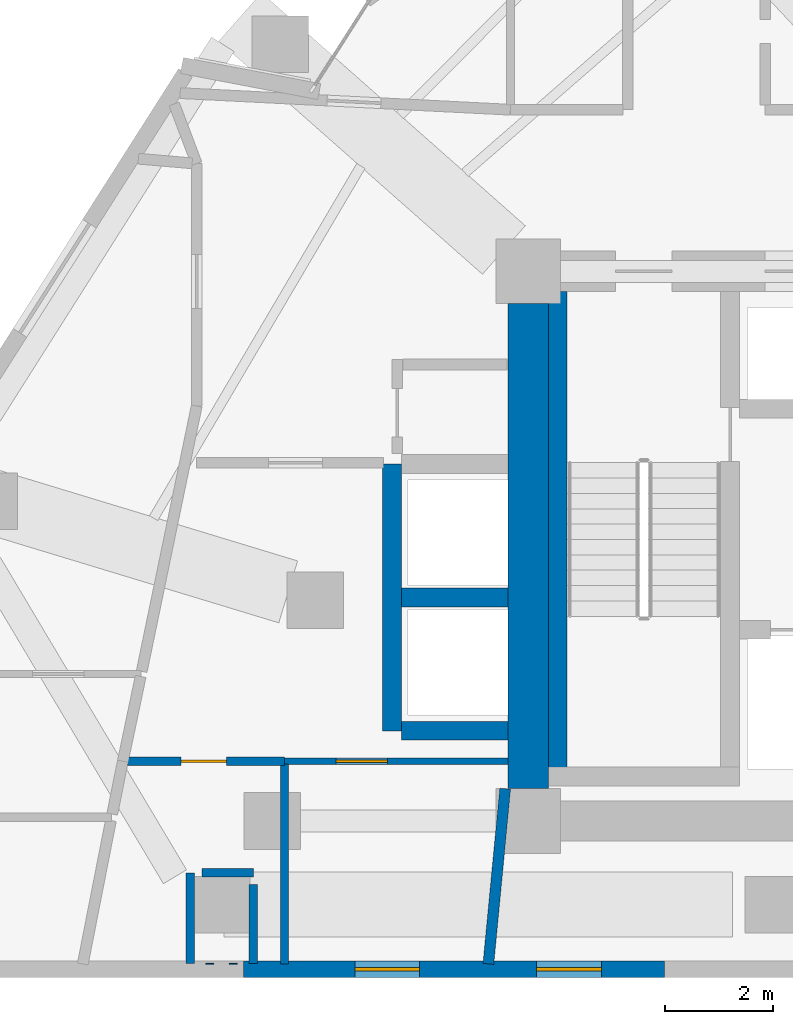
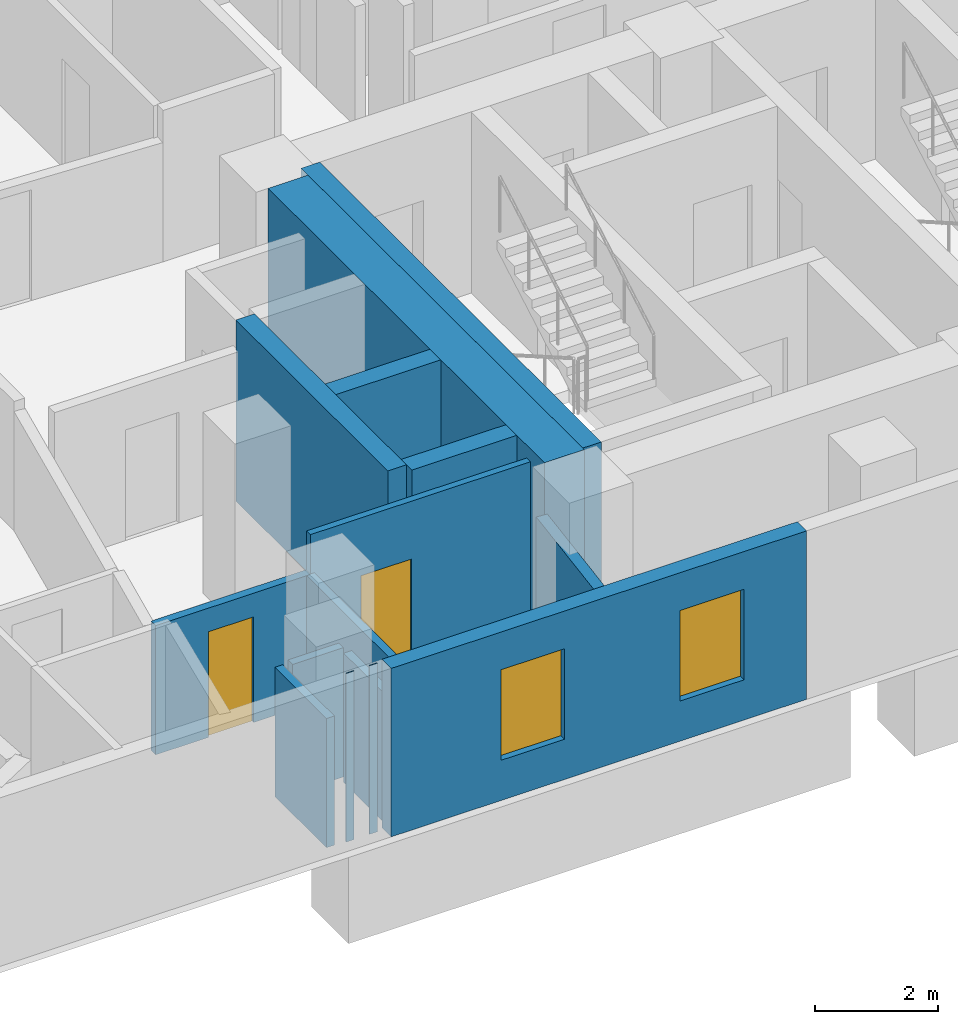
# One storey, part 6 of 12: 15 walls, 2 doors, 2 windows, 4 openings.
"""IFC4 building model written with IfcOpenShell, lengths in metres."""

from ifc_helpers import new_model, si_unit, direction, frame, frame_2d, origin, place, context, subcontext, project, spatial, rectangle, extrude, material, layer, layer_set, type_object, element, fill, save


model = new_model("IFC4")

# Units and contexts
model_context = context("Model", 3, precision=1e-05, world=origin(), true_north=direction((0.0, 1.0)))
body_context = subcontext(model_context, "Body", "Model", "MODEL_VIEW")
ifc_project = project(units=[si_unit("LENGTHUNIT", "METRE"), si_unit("AREAUNIT", "SQUARE_METRE"), si_unit("VOLUMEUNIT", "CUBIC_METRE"), si_unit("PLANEANGLEUNIT", "RADIAN"), si_unit("MASSUNIT", "GRAM", prefix="KILO")], contexts=[model_context])

# Site, building, storey
site_placement = place(None, origin())
site = spatial("IfcSite", under=ifc_project, at=site_placement, CompositionType="ELEMENT")
building_placement = place(site_placement, origin())
building = spatial("IfcBuilding", under=site, at=building_placement, Name="Almagre Mirador Tower", CompositionType="ELEMENT")
storey_placement = place(building_placement, frame((0.0, 0.0, 132.0)))
storey = spatial("IfcBuildingStorey", under=building, at=storey_placement, Name="L33", CompositionType="ELEMENT", Elevation=132.0)

# Wall, openings, windows
ifc_material_1 = material(Name="Precast concrete C50/60", Category="concrete")
ifc_layer_1 = layer(ifc_material_1, 0.300048828125)
ifc_layer_set_1 = layer_set([ifc_layer_1], Name="Precast concrete C50/60")
wall_type_1 = type_object("IfcWallType", Name="WAL-EXT-300", PredefinedType="SOLIDWALL", material=ifc_layer_set_1)
wall_1_placement = place(storey_placement, frame((30.083984375, 1.800048828125, 0.0), z_axis=(0.0, 0.0, 1.0), x_axis=(-1.0, 0.0, 0.0)))
wall_1 = element("IfcWall", 1, at=wall_1_placement, inside=storey, type_object=wall_type_1, Name="L33 expressed almagre precast frame wall 26", PredefinedType="SOLIDWALL", context=body_context, shape_type="SweptSolid", body=[
    extrude(rectangle(XDim=7.81201171875, YDim=0.300048828125, at=frame_2d((3.906005859375, 0.0))), origin(), (0.0, 0.0, 1.0), 3.35009765625),
])
opening_1_placement = place(wall_1_placement, frame((4.550048828125, 0.0, 0.800048828125)))
opening_1 = element("IfcOpeningElement", 2, at=opening_1_placement, cuts=wall_1, Name="Opening WN-04", PredefinedType="OPENING", context=body_context, shape_type="SweptSolid", body=[
    extrude(rectangle(XDim=1.199951171875, YDim=1.800048828125, at=frame_2d((0.60009765625, 0.89990234375))), frame((0.0, 0.159902, 0.0), z_axis=(0.0, -1.0, 0.0), x_axis=(1.0, 0.0, 0.0)), (0.0, 0.0, 1.0), 0.320049),
])
opening_2_placement = place(wall_1_placement, frame((1.175048828125, 0.0, 0.800048828125)))
opening_2 = element("IfcOpeningElement", 3, at=opening_2_placement, cuts=wall_1, Name="Opening WN-04", PredefinedType="OPENING", context=body_context, shape_type="SweptSolid", body=[
    extrude(rectangle(XDim=1.199951171875, YDim=1.800048828125, at=frame_2d((0.60009765625, 0.89990234375))), frame((0.0, 0.159902, 0.0), z_axis=(0.0, -1.0, 0.0), x_axis=(1.0, 0.0, 0.0)), (0.0, 0.0, 1.0), 0.320049),
])
ifc_material_2 = material(Name="Dark solar-control laminated hurricane glass", Category="glass")
window_type = type_object("IfcWindowType", Name="WIN-1200X1800", PartitioningType="SINGLE_PANEL", PredefinedType="WINDOW", material=ifc_material_2)
window_1_placement = place(opening_1_placement, origin())
window_1 = element("IfcWindow", 4, at=window_1_placement, inside=storey, type_object=window_type, Name="L33 recessed hurricane window L33-UB-KT", OverallHeight=1.800048828125, OverallWidth=1.199951171875, PartitioningType="SINGLE_PANEL", PredefinedType="WINDOW", context=body_context, shape_type="SweptSolid", body=[
    extrude(rectangle(XDim=1.199951171875, YDim=1.800048828125, at=frame_2d((0.60009765625, 0.89990234375))), frame((0.0, 0.030029296875, 0.0), z_axis=(0.0, -1.0, 0.0), x_axis=(1.0, 0.0, 0.0)), (0.0, 0.0, 1.0), 0.06005859375),
])
fill(opening_1, window_1)
window_2_placement = place(opening_2_placement, origin())
window_2 = element("IfcWindow", 5, at=window_2_placement, inside=storey, type_object=window_type, Name="L33 recessed hurricane window L33-RST-C", OverallHeight=1.800048828125, OverallWidth=1.199951171875, PartitioningType="SINGLE_PANEL", PredefinedType="WINDOW", context=body_context, shape_type="SweptSolid", body=[
    extrude(rectangle(XDim=1.199951171875, YDim=1.800048828125, at=frame_2d((0.60009765625, 0.89990234375))), frame((0.0, 0.030029296875, 0.0), z_axis=(0.0, -1.0, 0.0), x_axis=(1.0, 0.0, 0.0)), (0.0, 0.0, 1.0), 0.06005859375),
])
fill(opening_2, window_2)

# Wall, opening, door
ifc_material_3 = material(Name="Gypsum acoustic stud partition", Category="other")
ifc_layer_2 = layer(ifc_material_3, 0.125)
ifc_layer_set_2 = layer_set([ifc_layer_2], Name="Gypsum acoustic stud partition")
wall_type_2 = type_object("IfcWallType", Name="WAL-PRT-125-UTL", PredefinedType="PARTITIONING", material=ifc_layer_set_2)
wall_2_placement = place(storey_placement, frame((23.030029296875, 5.659912109375, 0.0), z_axis=(0.0, 0.0, 1.0), x_axis=(1.0, 0.0, 0.0)))
wall_2 = element("IfcWall", 6, at=wall_2_placement, inside=storey, type_object=wall_type_2, Name="L33 interior partition 039", PredefinedType="PARTITIONING", context=body_context, shape_type="SweptSolid", body=[
    extrude(rectangle(XDim=4.14501953125, YDim=0.125, at=frame_2d((2.072509765625, 0.0))), origin(), (0.0, 0.0, 1.0), 3.35009765625),
])
opening_3_placement = place(wall_2_placement, frame((0.956298828125, 0.0, 0.0)))
opening_3 = element("IfcOpeningElement", 7, at=opening_3_placement, cuts=wall_2, Name="Opening UD-01", PredefinedType="OPENING", context=body_context, shape_type="SweptSolid", body=[
    extrude(rectangle(XDim=0.949951171875, YDim=2.199951171875, at=frame_2d((0.47509765625, 1.10009765625))), frame((0.0, 0.0725, 0.0), z_axis=(0.0, -1.0, 0.0), x_axis=(1.0, 0.0, 0.0)), (0.0, 0.0, 1.0), 0.145),
])
ifc_material_4 = material(Name="Solid American walnut timber", Category="wood")
door_type_1 = type_object("IfcDoorType", Name="DOR-UNR-950X2200", OperationType="NOTDEFINED", PredefinedType="DOOR", material=ifc_material_4)
door_1_placement = place(opening_3_placement, origin())
door_1 = element("IfcDoor", 8, at=door_1_placement, inside=storey, type_object=door_type_1, Name="DR-1076 L33 interior door L33-UB-ST to L33-UB-KT", OperationType="SINGLE_SWING_RIGHT", OverallHeight=2.199951171875, OverallWidth=0.949951171875, PredefinedType="DOOR", context=body_context, shape_type="SweptSolid", body=[
    extrude(rectangle(XDim=0.949951171875, YDim=2.199951171875, at=frame_2d((0.47509765625, 1.10009765625))), frame((0.0, 0.02490234375, 0.0), z_axis=(0.0, -1.0, 0.0), x_axis=(1.0, 0.0, 0.0)), (0.0, 0.0, 1.0), 0.050048828125),
])
fill(opening_3, door_1)

ifc_material_5 = material(Name="Gypsum acoustic stud partition", Category="other")
ifc_layer_3 = layer(ifc_material_5, 0.14990234375)
ifc_layer_set_3 = layer_set([ifc_layer_3], Name="Gypsum acoustic stud partition")
wall_type_3 = type_object("IfcWallType", Name="WAL-PRT-150-STD", PredefinedType="PARTITIONING", material=ifc_layer_set_3)
wall_3_placement = place(storey_placement, frame((20.114990234375, 5.659912109375, 0.0), z_axis=(0.0, 0.0, 1.0), x_axis=(1.0, 0.0, 0.0)))
wall_3 = element("IfcWall", 9, at=wall_3_placement, inside=storey, type_object=wall_type_3, Name="L33 interior partition 040", PredefinedType="PARTITIONING", context=body_context, shape_type="SweptSolid", body=[
    extrude(rectangle(XDim=2.9150390625, YDim=0.14990234375, at=frame_2d((1.45751953125, 0.0))), origin(), (0.0, 0.0, 1.0), 2.570068359375),
])
opening_4_placement = place(wall_3_placement, frame((0.989990234375, 0.0, 0.0)))
opening_4 = element("IfcOpeningElement", 10, at=opening_4_placement, cuts=wall_3, Name="Opening UD-04", PredefinedType="OPENING", context=body_context, shape_type="SweptSolid", body=[
    extrude(rectangle(XDim=0.85009765625, YDim=2.10009765625, at=frame_2d((0.425048828125, 1.050048828125))), frame((0.0, 0.084951, 0.0), z_axis=(0.0, -1.0, 0.0), x_axis=(1.0, 0.0, 0.0)), (0.0, 0.0, 1.0), 0.169902),
])
ifc_material_6 = material(Name="Moisture-resistant oak timber", Category="wood")
door_type_2 = type_object("IfcDoorType", Name="DOR-UNR-850X2100", OperationType="NOTDEFINED", PredefinedType="DOOR", material=ifc_material_6)
door_2_placement = place(opening_4_placement, origin())
door_2 = element("IfcDoor", 11, at=door_2_placement, inside=storey, type_object=door_type_2, Name="DR-1077 L33 interior door L33-UB-ST to L33-UB-BT", OperationType="SINGLE_SWING_LEFT", OverallHeight=2.10009765625, OverallWidth=0.85009765625, PredefinedType="DOOR", context=body_context, shape_type="SweptSolid", body=[
    extrude(rectangle(XDim=0.85009765625, YDim=2.10009765625, at=frame_2d((0.425048828125, 1.050048828125))), frame((0.0, 0.02490234375, 0.0), z_axis=(0.0, -1.0, 0.0), x_axis=(1.0, 0.0, 0.0)), (0.0, 0.0, 1.0), 0.050048828125),
])
fill(opening_4, door_2)

# Walls
wall_4_placement = place(storey_placement, frame((23.030029296875, 5.612548828125, 0.0), z_axis=(0.0, 0.0, 1.0), x_axis=(0.0, -1.0, 0.0)))
element("IfcWall", 12, at=wall_4_placement, inside=storey, type_object=wall_type_3, Name="L33 interior partition 041", PredefinedType="PARTITIONING", context=body_context, shape_type="SweptSolid", body=[
    extrude(rectangle(XDim=3.712646484375, YDim=0.14990234375, at=frame_2d((1.8564453125, 0.0))), origin(), (0.0, 0.0, 1.0), 2.570068359375),
])
wall_5_placement = place(storey_placement, frame((21.639892578125, 1.888916015625, 0.0), z_axis=(0.0, 0.0, 1.0), x_axis=(0.0, 1.0, 0.0)))
element("IfcWall", 13, at=wall_5_placement, inside=storey, type_object=wall_type_3, Name="L33 interior partition 084", PredefinedType="PARTITIONING", context=body_context, shape_type="SweptSolid", body=[
    extrude(rectangle(XDim=0.02001953125, YDim=0.14990234375, at=frame_2d((0.010009765625, 0.0))), origin(), (0.0, 0.0, 1.0), 3.35009765625),
])
wall_6_placement = place(storey_placement, frame((21.280029296875, 1.908935546875, 0.0), z_axis=(0.0, 0.0, 1.0), x_axis=(0.0, 1.0, 0.0)))
element("IfcWall", 14, at=wall_6_placement, inside=storey, type_object=wall_type_3, Name="L33 interior partition 085", PredefinedType="PARTITIONING", context=body_context, shape_type="SweptSolid", body=[
    extrude(rectangle(XDim=1.68115234375, YDim=0.14990234375, at=frame_2d((0.840576171875, 0.0))), origin(), (0.0, 0.0, 1.0), 2.570068359375),
])
wall_7_placement = place(storey_placement, frame((21.4951171875, 3.590087890625, 0.0), z_axis=(0.0, 0.0, 1.0), x_axis=(1.0, 0.0, 0.0)))
element("IfcWall", 15, at=wall_7_placement, inside=storey, type_object=wall_type_3, Name="L33 interior partition 086", PredefinedType="PARTITIONING", context=body_context, shape_type="SweptSolid", body=[
    extrude(rectangle(XDim=0.954833984375, YDim=0.14990234375, at=frame_2d((0.4775390625, 0.0))), origin(), (0.0, 0.0, 1.0), 2.570068359375),
])
wall_8_placement = place(storey_placement, frame((22.449951171875, 3.375, 0.0), z_axis=(0.0, 0.0, 1.0), x_axis=(0.0, -1.0, 0.0)))
element("IfcWall", 16, at=wall_8_placement, inside=storey, type_object=wall_type_3, Name="L33 interior partition 087", PredefinedType="PARTITIONING", context=body_context, shape_type="SweptSolid", body=[
    extrude(rectangle(XDim=1.466064453125, YDim=0.14990234375, at=frame_2d((0.73291015625, 0.0))), origin(), (0.0, 0.0, 1.0), 2.570068359375),
])
wall_9_placement = place(storey_placement, frame((22.080078125, 1.908935546875, 0.0), z_axis=(0.0, 0.0, 1.0), x_axis=(0.0, -1.0, 0.0)))
element("IfcWall", 17, at=wall_9_placement, inside=storey, type_object=wall_type_3, Name="L33 interior partition 088", PredefinedType="PARTITIONING", context=body_context, shape_type="SweptSolid", body=[
    extrude(rectangle(XDim=0.02001953125, YDim=0.14990234375, at=frame_2d((0.010009765625, 0.0))), origin(), (0.0, 0.0, 1.0), 3.35009765625),
])
ifc_material_7 = material(Name="Gypsum acoustic stud partition", Category="other")
ifc_layer_4 = layer(ifc_material_7, 0.199951171875)
ifc_layer_set_4 = layer_set([ifc_layer_4], Name="Gypsum acoustic stud partition")
wall_type_4 = type_object("IfcWallType", Name="WAL-PRT-200-EI60", PredefinedType="PARTITIONING", material=ifc_layer_set_4)
wall_10_placement = place(storey_placement, frame((26.81298828125, 1.89892578125, 0.0), z_axis=(0.0, 0.0, 1.0), x_axis=(0.095535778303, 0.995425996779, 0.0)))
element("IfcWall", 18, at=wall_10_placement, inside=storey, type_object=wall_type_4, Name="L33 interior partition 042", PredefinedType="PARTITIONING", context=body_context, shape_type="SweptSolid", body=[
    extrude(rectangle(XDim=3.265869140625, YDim=0.199951171875, at=frame_2d((1.6328125, 0.0))), origin(), (0.0, 0.0, 1.0), 2.570068359375),
])
ifc_material_8 = material(Name="Concrete C60/75", Category="concrete")
ifc_layer_5 = layer(ifc_material_8, 0.35009765625)
ifc_layer_set_5 = layer_set([ifc_layer_5], Name="Concrete C60/75")
wall_type_5 = type_object("IfcWallType", Name="WAL-SHF-350", PredefinedType="SOLIDWALL", material=ifc_layer_set_5)
wall_11_placement = place(storey_placement, frame((28.10009765625, 5.199951171875, 0.0), z_axis=(0.0, 0.0, 1.0), x_axis=(0.0, 1.0, 0.0)))
element("IfcWall", 19, at=wall_11_placement, inside=storey, type_object=wall_type_5, Name="L33 shaft wall ST1-W", PredefinedType="SOLIDWALL", context=body_context, shape_type="SweptSolid", body=[
    extrude(rectangle(XDim=9.175048828125, YDim=0.35009765625, at=frame_2d((4.58740234375, 0.0))), origin(), (0.0, 0.0, 1.0), 3.60009765625),
])
wall_12_placement = place(storey_placement, frame((25.02490234375, 6.22509765625, 0.0), z_axis=(0.0, 0.0, 1.0), x_axis=(0.0, 1.0, 0.0)))
element("IfcWall", 20, at=wall_12_placement, inside=storey, type_object=wall_type_5, Name="L33 shaft wall OL-W", PredefinedType="SOLIDWALL", context=body_context, shape_type="SweptSolid", body=[
    extrude(rectangle(XDim=4.949951171875, YDim=0.35009765625, at=frame_2d((2.47509765625, 0.0))), origin(), (0.0, 0.0, 1.0), 3.60009765625),
])
for number, where, z_axis, x_axis, name in (
    (21, (25.199951171875, 6.22509765625, 0.0), (0.0, 0.0, 1.0), (1.0, 0.0, 0.0), "L33 shaft wall OL-S"),
    (22, (25.199951171875, 8.699951171875, 0.0), (0.0, 0.0, 1.0), (1.0, 0.0, 0.0), "L33 shaft wall OL-M"),
):
    element("IfcWall", number, at=place(storey_placement, frame(where, z_axis=z_axis, x_axis=x_axis)), inside=storey, type_object=wall_type_5, Name=name, PredefinedType="SOLIDWALL", context=body_context, shape_type="SweptSolid", body=[
        extrude(rectangle(XDim=1.97509765625, YDim=0.35009765625, at=frame_2d((0.987548828125, 0.0))), origin(), (0.0, 0.0, 1.0), 3.60009765625),
    ])
ifc_material_9 = material(Name="Concrete C60/75", Category="concrete")
ifc_layer_6 = layer(ifc_material_9, 0.75)
ifc_layer_set_6 = layer_set([ifc_layer_6], Name="Concrete C60/75")
wall_type_6 = type_object("IfcWallType", Name="WAL-SHR-750", PredefinedType="SHEAR", material=ifc_layer_set_6)
wall_13_placement = place(storey_placement, frame((27.550048828125, 5.14990234375, 0.0), z_axis=(0.0, 0.0, 1.0), x_axis=(0.0, 1.0, 0.0)))
element("IfcWall", 23, at=wall_13_placement, inside=storey, type_object=wall_type_6, Name="L33 core shear wall W1", PredefinedType="SHEAR", context=body_context, shape_type="SweptSolid", body=[
    extrude(rectangle(XDim=9.0, YDim=0.75, at=frame_2d((4.5, 0.0))), origin(), (0.0, 0.0, 1.0), 3.60009765625),
])

save(model, "model.ifc")
